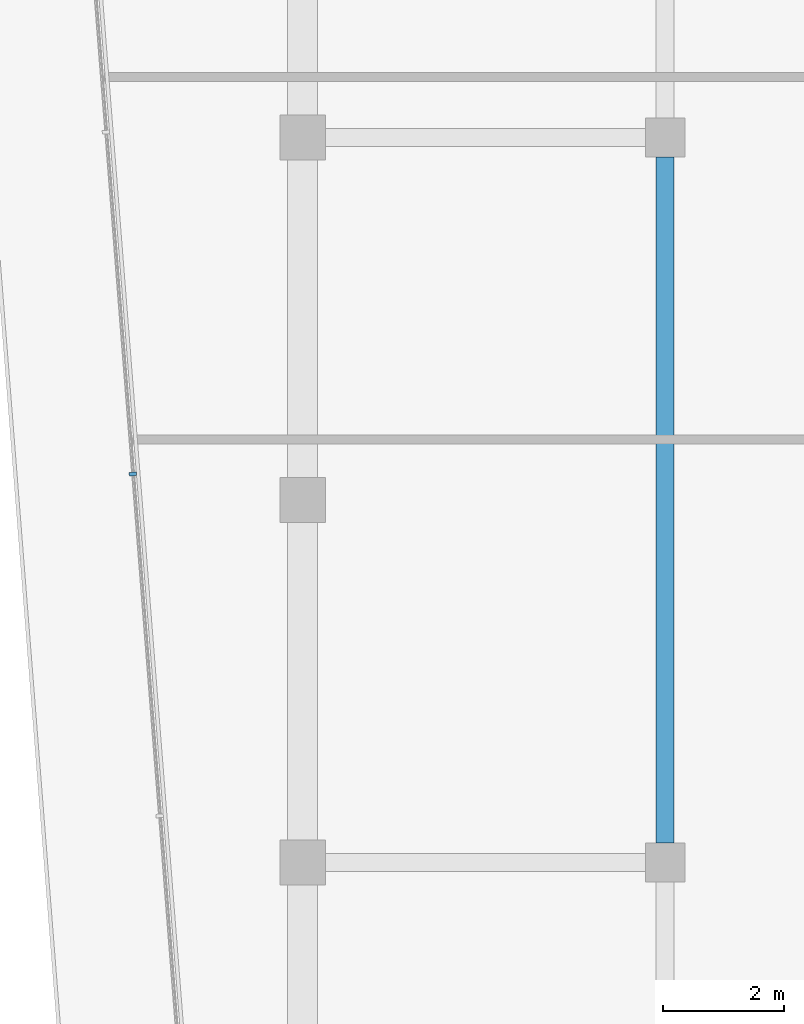
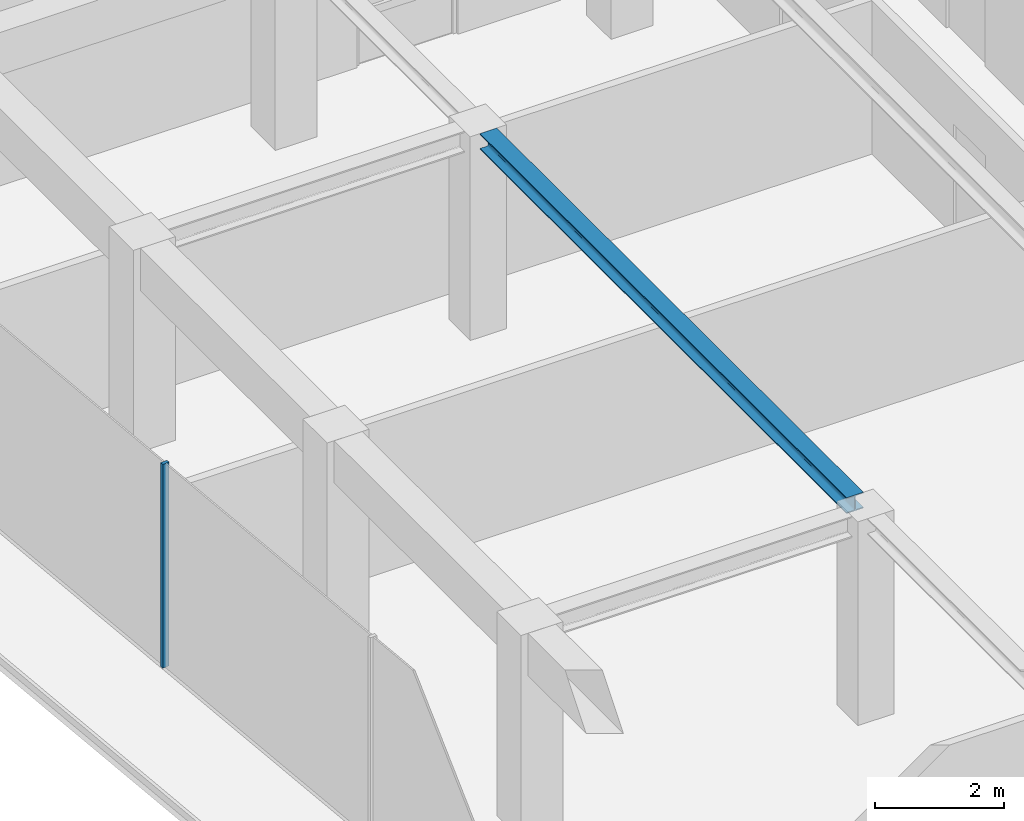
# One storey, part 11 of 23: 1 beam, 1 member, 1 element without a shape of its own.
"""IFC4 building model written with IfcOpenShell, lengths in metres."""

from ifc_helpers import new_model, si_unit, direction, frame, origin, origin_2d, place, context, subcontext, project, spatial, rectangle, i_section, extrude, material, layer, layer_set, material_profile, profile_set, type_object, element, aggregate, save


model = new_model("IFC4")

# Units and contexts
model_context = context("Model", 3, precision=1e-05, world=origin(), true_north=direction((0.0, 1.0)))
body_context = subcontext(model_context, "Body", "Model", "MODEL_VIEW")
ifc_project = project(units=[si_unit("LENGTHUNIT", "METRE"), si_unit("AREAUNIT", "SQUARE_METRE"), si_unit("VOLUMEUNIT", "CUBIC_METRE"), si_unit("PLANEANGLEUNIT", "RADIAN"), si_unit("MASSUNIT", "GRAM", prefix="KILO")], contexts=[model_context])

# Site, building, storey
site_placement = place(None, origin())
site = spatial("IfcSite", under=ifc_project, at=site_placement, CompositionType="ELEMENT")
building_placement = place(site_placement, origin())
building = spatial("IfcBuilding", under=site, at=building_placement, Name="Welwitschia Terrace Campus", CompositionType="ELEMENT")
storey_placement = place(building_placement, frame((0.0, 0.0, 306.199951171875)))
storey = spatial("IfcBuildingStorey", under=building, at=storey_placement, Name="L68", CompositionType="ELEMENT", Elevation=306.199951171875)

# Beam
ifc_material_1 = material(Name="Steel S355", Category="steel")
ifc_material_profile_1 = material_profile(ifc_material_1, i_section(OverallWidth=0.300048828125, OverallDepth=0.300048828125, WebThickness=0.010986328125, FlangeThickness=0.01904296875, FilletRadius=0.027099609375, at=origin_2d()))
ifc_profile_set_1 = profile_set([ifc_material_profile_1], Name="Steel S355")
beam_type = type_object("IfcBeamType", Name="Interior girder HE 300 B", PredefinedType="BEAM", material=ifc_profile_set_1)
beam_placement = place(storey_placement, frame((6.0, 44.325439453125, 3.699951171875), z_axis=(0.0, 1.0, 0.0), x_axis=(-1.0, 0.0, 0.0)))
element("IfcBeam", 1, at=beam_placement, inside=storey, type_object=beam_type, Name="Girder GB6", PredefinedType="BEAM", context=body_context, shape_type="SweptSolid", body=[
    extrude(i_section(OverallWidth=0.300048828125, OverallDepth=0.300048828125, WebThickness=0.010986328125, FlangeThickness=0.01904296875, FilletRadius=0.027099609375, at=origin_2d()), origin(), (0.0, 0.0, 1.0), 11.34912109375),
])

# Curtain wall, member
ifc_material_2 = material(Name="Bronze anodised aluminium", Category="aluminium")
ifc_layer = layer(ifc_material_2, 0.1201171875)
ifc_layer_set = layer_set([ifc_layer], Name="Bronze anodised aluminium")
curtain_wall_type = type_object("IfcCurtainWallType", Name="Curtain wall CW2 tower 6000", PredefinedType="NOTDEFINED", material=ifc_layer_set)
curtain_wall_placement = place(storey_placement, origin())
curtain_wall = element("IfcCurtainWall", 2, at=curtain_wall_placement, inside=storey, type_object=curtain_wall_type, Name="CW L68.11.0", PredefinedType="NOTDEFINED")
ifc_material_3 = material(Name="Bronze anodised aluminium", Category="aluminium")
ifc_material_profile_2 = material_profile(ifc_material_3, rectangle(XDim=0.1201171875, YDim=0.06005859375, at=origin_2d()))
ifc_profile_set_2 = profile_set([ifc_material_profile_2], Name="Bronze anodised aluminium")
member_type = type_object("IfcMemberType", Name="Mullion 60x120", PredefinedType="MULLION", material=ifc_profile_set_2)
member_placement = place(storey_placement, frame((-2.81103515625, 50.43017578125, 0.0), z_axis=(0.0, 0.0, 1.0), x_axis=(0.996917333733, 0.078459095728, 0.0)))
member = element("IfcMember", 3, at=member_placement, type_object=member_type, Name="Mullion L68.11.0.2", PredefinedType="MULLION", context=body_context, shape_type="SweptSolid", body=[
    extrude(rectangle(XDim=0.1201171875, YDim=0.06005859375, at=origin_2d()), origin(), (0.0, 0.0, 1.0), 3.85009765625),
])
aggregate(curtain_wall, [member])

save(model, "model.ifc")
